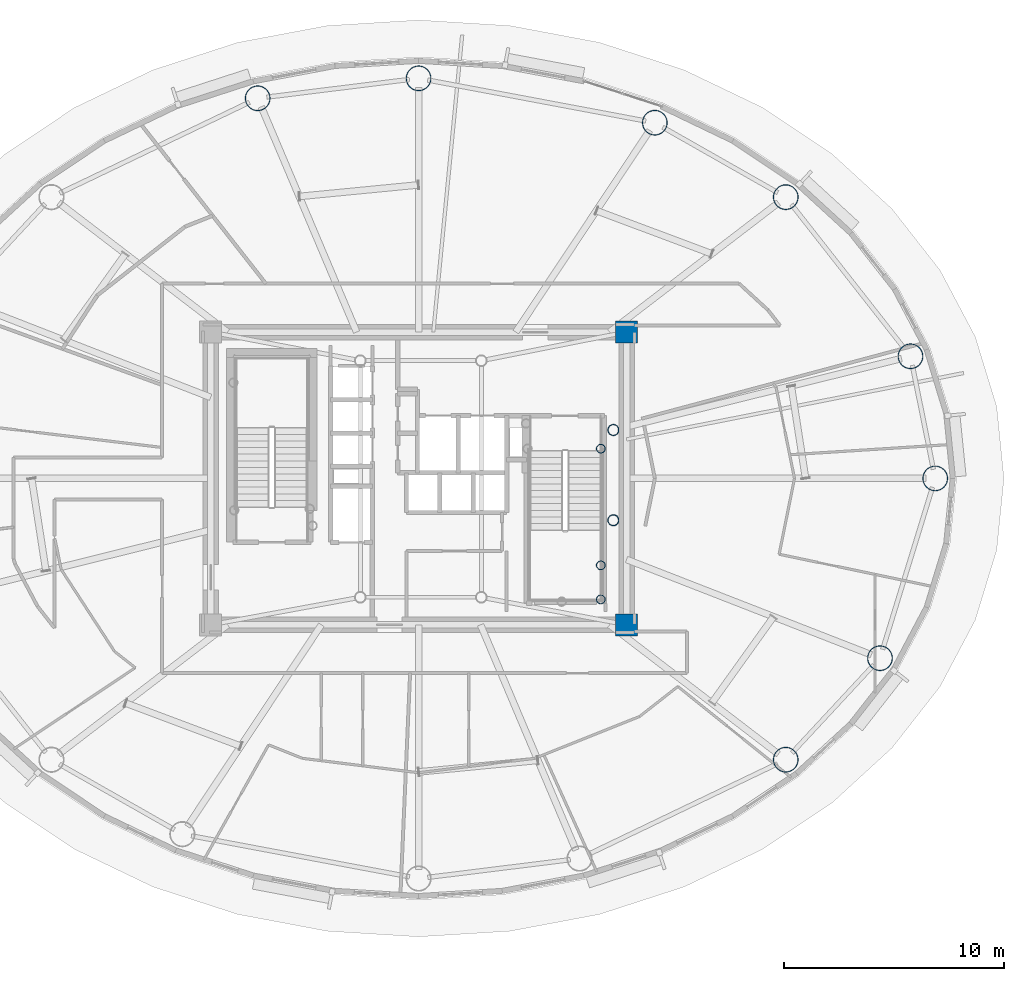
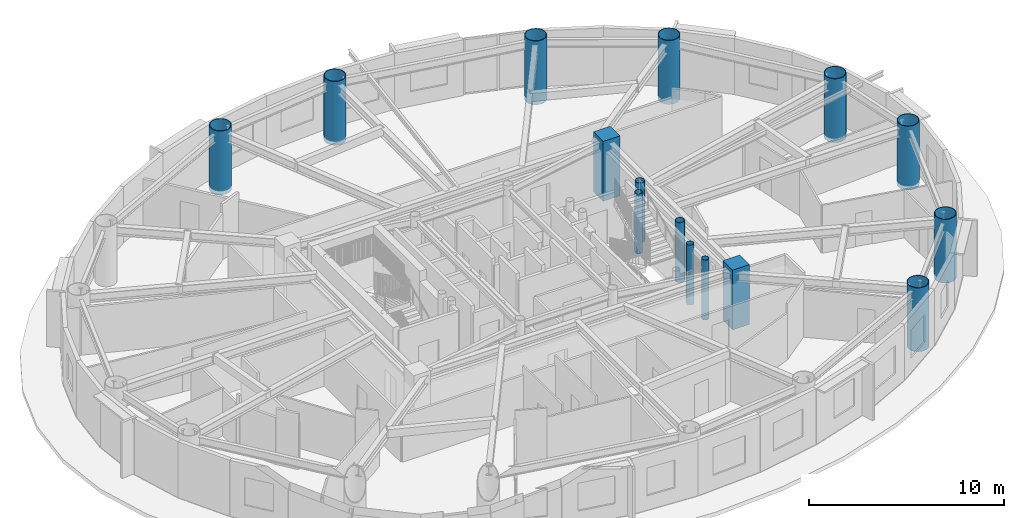
# One storey, part 2 of 19: 15 columns.
"""IFC4 building model written with IfcOpenShell, lengths in metres."""

from ifc_helpers import new_model, si_unit, direction, frame, origin, origin_2d, place, context, subcontext, project, spatial, rectangle, hollow_circle, extrude, material, material_profile, profile_set, type_object, element, save


model = new_model("IFC4")

# Units and contexts
model_context = context("Model", 3, precision=1e-05, world=origin(), true_north=direction((0.0, 1.0)))
body_context = subcontext(model_context, "Body", "Model", "MODEL_VIEW")
ifc_project = project(units=[si_unit("LENGTHUNIT", "METRE"), si_unit("AREAUNIT", "SQUARE_METRE"), si_unit("VOLUMEUNIT", "CUBIC_METRE"), si_unit("PLANEANGLEUNIT", "RADIAN"), si_unit("MASSUNIT", "GRAM", prefix="KILO")], contexts=[model_context])

# Site, building, storey
site_placement = place(None, origin())
site = spatial("IfcSite", under=ifc_project, at=site_placement, CompositionType="ELEMENT")
building_placement = place(site_placement, origin())
building = spatial("IfcBuilding", under=site, at=building_placement, Name="Linh Dai School and Residence Tower", CompositionType="ELEMENT")
storey_placement = place(building_placement, frame((0.0, 0.0, 210.300048828125)))
storey = spatial("IfcBuildingStorey", under=building, at=storey_placement, Name="L51", CompositionType="ELEMENT", Elevation=210.300048828125)

# Columns
ifc_material_1 = material(Name="Concrete B45 (C35/45)", Category="concrete")
ifc_material_profile_1 = material_profile(ifc_material_1, rectangle(XDim=1.0, YDim=1.0, at=origin_2d()), Name="RC 1000x1000")
ifc_profile_set_1 = profile_set([ifc_material_profile_1], Name="Concrete B45 (C35/45)")
column_type_1 = type_object("IfcColumnType", Name="COL-CC3", PredefinedType="COLUMN", material=ifc_profile_set_1)
for number, where, z_axis, x_axis, name in (
    (1, (45.449951171875, 20.35009765625, 0.0), (0.0, 0.0, 1.0), (1.0, 0.0, 0.0), "L51 Core Corner Pier CC2"),
    (2, (45.449951171875, 33.64990234375, 0.0), (0.0, 0.0, 1.0), (1.0, 0.0, 0.0), "L51 Core Corner Pier CC3"),
):
    element("IfcColumn", number, at=place(storey_placement, frame(where, z_axis=z_axis, x_axis=x_axis)), inside=storey, type_object=column_type_1, Name=name, PredefinedType="COLUMN", context=body_context, shape_type="SweptSolid", body=[
        extrude(rectangle(XDim=1.0, YDim=1.0, at=origin_2d()), origin(), (0.0, 0.0, 1.0), 3.75),
    ])
ifc_material_2 = material(Name="Structural Steel S355JR", Category="steel")
ifc_material_profile_2 = material_profile(ifc_material_2, hollow_circle(Radius=0.203125, WallThickness=0.01611328125, at=origin_2d()), Name="CHS 406.4x16")
ifc_profile_set_2 = profile_set([ifc_material_profile_2], Name="Structural Steel S355JR")
column_type_2 = type_object("IfcColumnType", Name="COL-EC", PredefinedType="COLUMN", material=ifc_profile_set_2)
for number, where, z_axis, x_axis, name in (
    (3, (44.280029296875, 21.5, 0.0), (0.0, 0.0, 1.0), (1.0, 0.0, 0.0), "L51 Stair Shaft Landing Support Pier ST2SE"),
    (4, (44.280029296875, 23.050048828125, 0.0), (0.0, 0.0, 1.0), (1.0, 0.0, 0.0), "L51 Stair Shaft Landing Support Pier ST2NE"),
    (5, (44.280029296875, 28.35009765625, 0.0), (0.0, 0.0, 1.0), (1.0, 0.0, 0.0), "L51 Stair Shaft Landing Support Pier ST2N2"),
):
    element("IfcColumn", number, at=place(storey_placement, frame(where, z_axis=z_axis, x_axis=x_axis)), inside=storey, type_object=column_type_2, Name=name, PredefinedType="COLUMN", context=body_context, shape_type="SweptSolid", body=[
        extrude(hollow_circle(Radius=0.203125, WallThickness=0.01611328125, at=origin_2d()), origin(), (0.0, 0.0, 1.0), 3.75),
    ])
ifc_material_profile_3 = material_profile(ifc_material_2, hollow_circle(Radius=0.574951171875, WallThickness=0.035888671875, at=origin_2d()), Name="CHS 1150x36")
ifc_profile_set_3 = profile_set([ifc_material_profile_3], Name="Structural Steel S355JR")
column_type_3 = type_object("IfcColumnType", Name="COL-MC5", PredefinedType="COLUMN", material=ifc_profile_set_3)
for number, where, z_axis, x_axis, name in (
    (6, (59.47509765625, 27.0, -0.25), (0.0, 0.0, 1.0), (1.0, 0.0, 0.0), "L51 Perimeter CFT Mega-Column MC01"),
    (7, (58.351318359375, 32.54931640625, -0.25), (0.0, 0.0, 1.0), (1.0, 0.0, 0.0), "L51 Perimeter CFT Mega-Column MC02"),
    (8, (52.68310546875, 39.781005859375, -0.25), (0.0, 0.0, 1.0), (1.0, 0.0, 0.0), "L51 Perimeter CFT Mega-Column MC03"),
    (9, (46.734619140625, 43.16357421875, -0.25), (0.0, 0.0, 1.0), (1.0, 0.0, 0.0), "L51 Perimeter CFT Mega-Column MC04"),
    (10, (36.0, 45.179931640625, -0.25), (0.0, 0.0, 1.0), (1.0, 0.0, 0.0), "L51 Perimeter CFT Mega-Column MC05"),
    (11, (28.68798828125, 44.2734375, -0.25), (0.0, 0.0, 1.0), (1.0, 0.0, 0.0), "L51 Perimeter CFT Mega-Column MC06"),
    (12, (52.68310546875, 14.218994140625, -0.25), (0.0, 0.0, 1.0), (1.0, 0.0, 0.0), "L51 Perimeter CFT Mega-Column MC15"),
    (13, (56.96533203125, 18.8310546875, -0.25), (0.0, 0.0, 1.0), (1.0, 0.0, 0.0), "L51 Perimeter CFT Mega-Column MC16"),
):
    element("IfcColumn", number, at=place(storey_placement, frame(where, z_axis=z_axis, x_axis=x_axis)), inside=storey, type_object=column_type_3, Name=name, PredefinedType="COLUMN", context=body_context, shape_type="SweptSolid", body=[
        extrude(hollow_circle(Radius=0.574951171875, WallThickness=0.035888671875, at=origin_2d()), origin(), (0.0, 0.0, 1.0), 4.0),
    ])
ifc_material_profile_4 = material_profile(ifc_material_2, hollow_circle(Radius=0.25390625, WallThickness=0.02001953125, at=origin_2d()), Name="CHS 508x20")
ifc_profile_set_4 = profile_set([ifc_material_profile_4], Name="Structural Steel S355JR")
column_type_4 = type_object("IfcColumnType", Name="COL-MCP", PredefinedType="COLUMN", material=ifc_profile_set_4)
for number, where, z_axis, x_axis, name in (
    (14, (44.85009765625, 25.10009765625, 0.0), (0.0, 0.0, 1.0), (1.0, 0.0, 0.0), "L51 Sky-Lounge Core Anchor Pier S"),
    (15, (44.85009765625, 29.199951171875, 0.0), (0.0, 0.0, 1.0), (1.0, 0.0, 0.0), "L51 Sky-Lounge Core Anchor Pier N"),
):
    element("IfcColumn", number, at=place(storey_placement, frame(where, z_axis=z_axis, x_axis=x_axis)), inside=storey, type_object=column_type_4, Name=name, PredefinedType="COLUMN", context=body_context, shape_type="SweptSolid", body=[
        extrude(hollow_circle(Radius=0.25390625, WallThickness=0.02001953125, at=origin_2d()), origin(), (0.0, 0.0, 1.0), 3.75),
    ])

save(model, "model.ifc")
